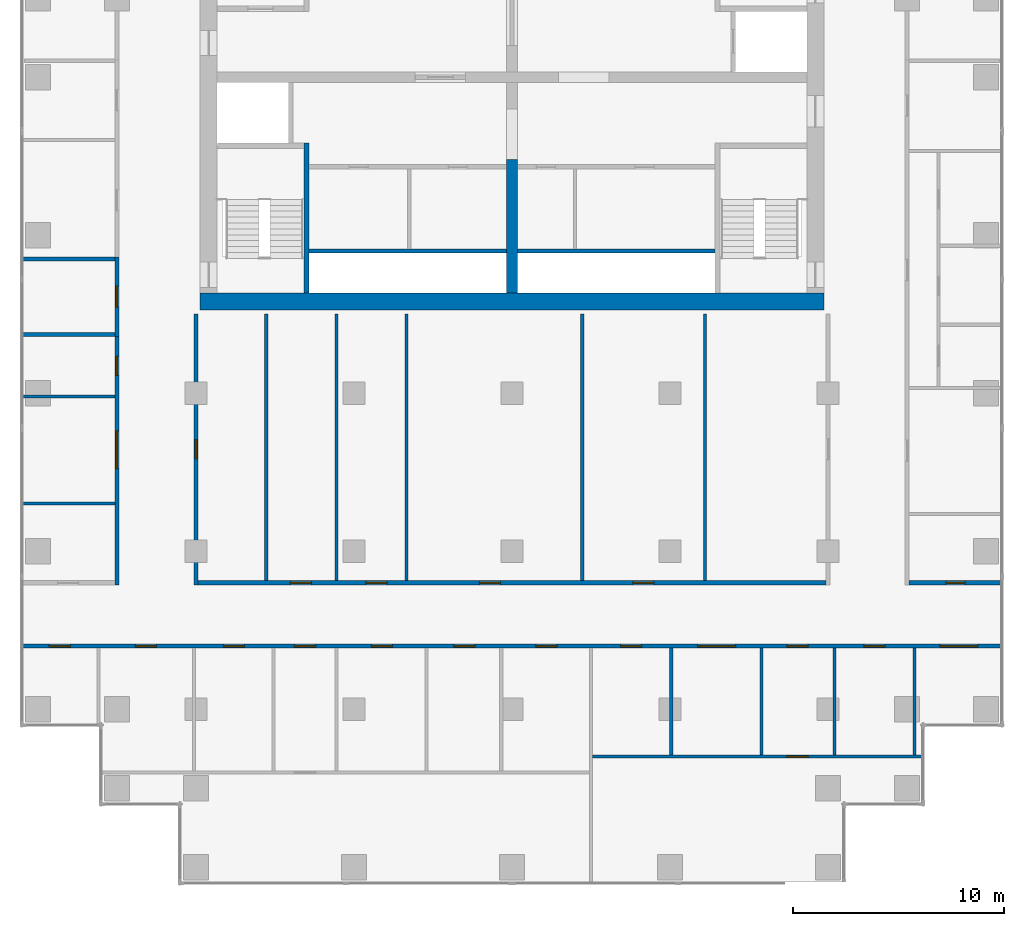
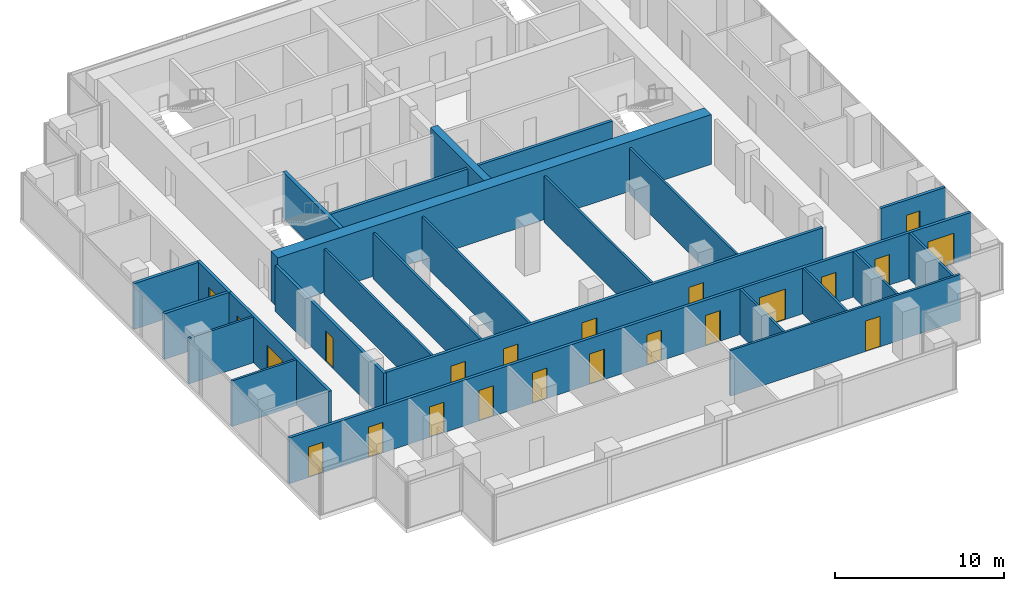
# One storey, part 7 of 11: 25 walls, 22 doors, 22 openings.
"""IFC4 building model written with IfcOpenShell, lengths in metres."""

import ifcopenshell
import ifcopenshell.guid

model = None  # the IFC model being written
_history = None  # IfcOwnerHistory: only IFC2X3 demands one
_inside = {}  # id of a spatial element -> (the spatial element, [elements in it])
_under = {}  # id of a project, library or spatial element -> (it, [spatial elements below it])
_declared = {}  # id of a project -> (the project, [libraries it declares])
_typed = {}  # id of a type object -> (the type object, [elements of that type])
_made_of = {}  # id of a material, layer set ... -> (it, [elements and type objects made of it])


def new_model(schema):
    """Start an empty IFC model of exactly this schema.

    Asked for "IFC4X3", IfcOpenShell would pick the latest addendum, in which some entities
    have other attributes; the version numbers below select the first issue.
    IFC2X3 requires an IfcOwnerHistory on every rooted entity: one is made here for all.
    """
    global model, _history
    if schema == "IFC4X3":
        model = ifcopenshell.file(schema_version=(4, 3, 0, 0))
    else:
        model = ifcopenshell.file(schema=schema)
    _inside.clear()
    _under.clear()
    _declared.clear()
    _typed.clear()
    _made_of.clear()
    _history = None
    if model.schema == "IFC2X3":
        org = make("IfcOrganization", Name="unknown")
        user = make(
            "IfcPersonAndOrganization",
            ThePerson=make("IfcPerson", FamilyName="unknown"),
            TheOrganization=org,
        )
        app = make(
            "IfcApplication",
            ApplicationDeveloper=org,
            Version="unknown",
            ApplicationFullName="unknown",
            ApplicationIdentifier="unknown",
        )
        _history = make(
            "IfcOwnerHistory",
            OwningUser=user,
            OwningApplication=app,
            ChangeAction="ADDED",
            CreationDate=0,
        )
    return model


def make(cls, **values):
    """One entity of the class cls with the attributes given. An attribute that is None is left unset."""
    return model.create_entity(
        cls, **{name: value for name, value in values.items() if value is not None}
    )


def rooted(cls, **values):
    """An entity with a GlobalId (a new one), such as an element, a storey or a relation."""
    return make(cls, GlobalId=ifcopenshell.guid.new(), OwnerHistory=_history, **values)


def si_unit(unit_type, name, prefix=None):
    """IfcSIUnit, for example si_unit("LENGTHUNIT", "METRE", prefix="MILLI")."""
    return make("IfcSIUnit", UnitType=unit_type, Prefix=prefix, Name=name)


def assignment(units):
    """IfcUnitAssignment: the units of a project."""
    return None if units is None else make("IfcUnitAssignment", Units=units)


def point(xyz):
    """IfcCartesianPoint."""
    return None if xyz is None else make("IfcCartesianPoint", Coordinates=xyz)


def direction(xyz):
    """IfcDirection."""
    return None if xyz is None else make("IfcDirection", DirectionRatios=xyz)


def frame(location, z_axis=None, x_axis=None):
    """IfcAxis2Placement3D, a coordinate frame: its origin and axes. An axis left out is left unset."""
    return make(
        "IfcAxis2Placement3D",
        Location=point(location),
        Axis=direction(z_axis),
        RefDirection=direction(x_axis),
    )


def frame_2d(location, x_axis=None):
    """IfcAxis2Placement2D, a coordinate frame in the plane: its origin and x axis."""
    return make(
        "IfcAxis2Placement2D", Location=point(location), RefDirection=direction(x_axis)
    )


def origin():
    """The frame at (0, 0, 0) with its axes left unset."""
    return frame((0.0, 0.0, 0.0))


def place(relative_to, where):
    """IfcLocalPlacement: puts the frame where relative to a parent placement (None: the world)."""
    return make(
        "IfcLocalPlacement", PlacementRelTo=relative_to, RelativePlacement=where
    )


def context(
    kind, dimensions, precision=None, world=None, true_north=None, identifier=None
):
    """IfcGeometricRepresentationContext, for example the 3D "Model" context."""
    return make(
        "IfcGeometricRepresentationContext",
        ContextIdentifier=identifier,
        ContextType=kind,
        CoordinateSpaceDimension=dimensions,
        Precision=precision,
        WorldCoordinateSystem=world,
        TrueNorth=true_north,
    )


def subcontext(parent, identifier, kind, view, scale=None):
    """IfcGeometricRepresentationSubContext, for example "Body" below "Model"."""
    return make(
        "IfcGeometricRepresentationSubContext",
        ContextIdentifier=identifier,
        ContextType=kind,
        ParentContext=parent,
        TargetScale=scale,
        TargetView=view,
    )


def project(units=None, contexts=None):
    """IfcProject with its units and contexts."""
    return rooted(
        "IfcProject",
        Name="project",
        RepresentationContexts=contexts,
        UnitsInContext=assignment(units),
    )


def spatial(cls, under=None, at=None, **own):
    """A site, building, storey or space (cls), placed at a placement, below another one or the project."""
    s = rooted(cls, ObjectPlacement=at, **own)
    if under is not None:
        _under.setdefault(under.id(), (under, []))[1].append(s)
    return s


def profile(cls, at=None, kind="AREA", **sizes):
    """A parametric profile (cls). Its sizes go by their IFC names, for example OverallWidth=200.0."""
    return make(cls, ProfileType=kind, Position=at, **sizes)


def rectangle(**sizes):
    """IfcRectangleProfileDef."""
    return profile("IfcRectangleProfileDef", **sizes)


def extrude(swept, where, along, depth):
    """IfcExtrudedAreaSolid: the profile swept, set in the frame where, extruded along a direction by depth."""
    return make(
        "IfcExtrudedAreaSolid",
        SweptArea=swept,
        Position=where,
        ExtrudedDirection=direction(along),
        Depth=depth,
    )


def shape(context_of_items, identifier, shape_type, items):
    """IfcShapeRepresentation: the items that make up one representation, for example the "Body"."""
    return make(
        "IfcShapeRepresentation",
        ContextOfItems=context_of_items,
        RepresentationIdentifier=identifier,
        RepresentationType=shape_type,
        Items=items,
    )


def material(Name=None, Category=None):
    """IfcMaterial."""
    return make("IfcMaterial", Name=Name, Category=Category)


def layer(
    of_material, thickness, ventilated=None, Name=None, Category=None, Priority=None
):
    """IfcMaterialLayer: one layer of a wall or slab, of a material (None: an air gap)."""
    return make(
        "IfcMaterialLayer",
        Material=of_material,
        LayerThickness=thickness,
        IsVentilated=ventilated,
        Name=Name,
        Category=Category,
        Priority=Priority,
    )


def layer_set(layers, Name=None):
    """IfcMaterialLayerSet."""
    return make("IfcMaterialLayerSet", MaterialLayers=layers, LayerSetName=Name)


def made_of(thing, what):
    """Note that an element or type object is made of a material, layer set ...; save() writes the relation."""
    if what is not None:
        _made_of.setdefault(what.id(), (what, []))[1].append(thing)
    return thing


def type_object(cls, material=None, **own):
    """A type object (cls), such as IfcWallType, which elements share."""
    return made_of(rooted(cls, **own), material)


def element(
    cls,
    number,
    at=None,
    inside=None,
    cuts=None,
    type_object=None,
    material=None,
    context=None,
    identifier="Body",
    shape_type=None,
    held_by="IfcProductDefinitionShape",
    body=None,
    shapes=None,
    **own,
):
    """One element of the class cls, such as IfcWall. Its Tag is "e" and its number.

    at: its placement. inside: the storey or other place that contains it. cuts: it is an
    opening in that element (IfcRelVoidsElement). A single representation is given by context,
    identifier, shape_type and body (its items); several are given by shapes. held_by: the class
    of the entity that holds the representations. save() writes the other relations.
    """
    e = rooted(cls, Tag="e%d" % number, ObjectPlacement=at, **own)
    if body is not None:
        shapes = [shape(context, identifier, shape_type, body)]
    if shapes is not None:
        e.Representation = make(held_by, Representations=shapes)
    if inside is not None:
        _inside.setdefault(inside.id(), (inside, []))[1].append(e)
    if cuts is not None:
        rooted(
            "IfcRelVoidsElement", RelatingBuildingElement=cuts, RelatedOpeningElement=e
        )
    if type_object is not None:
        _typed.setdefault(type_object.id(), (type_object, []))[1].append(e)
    return made_of(e, material)


def fill(opening, filler):
    """IfcRelFillsElement: the door or window that sits in an opening."""
    return rooted(
        "IfcRelFillsElement",
        RelatingOpeningElement=opening,
        RelatedBuildingElement=filler,
    )


def aggregate(whole, parts):
    """IfcRelAggregates: a whole, such as a stair, and the parts it consists of."""
    return rooted("IfcRelAggregates", RelatingObject=whole, RelatedObjects=parts)


def save(model, path):
    """Write the relations noted so far, then the file.

    IfcRelAggregates (storeys below a building ...), IfcRelContainedInSpatialStructure (elements
    in a storey), IfcRelDefinesByType, IfcRelAssociatesMaterial and IfcRelDeclares: one each for
    every whole, place, type object, material and project.
    """
    for whole, parts in _under.values():
        aggregate(whole, parts)
    for where, things in _inside.values():
        rooted(
            "IfcRelContainedInSpatialStructure",
            RelatedElements=things,
            RelatingStructure=where,
        )
    for kind, things in _typed.values():
        rooted("IfcRelDefinesByType", RelatedObjects=things, RelatingType=kind)
    for what, things in _made_of.values():
        rooted("IfcRelAssociatesMaterial", RelatedObjects=things, RelatingMaterial=what)
    for by, libraries in _declared.values():
        rooted("IfcRelDeclares", RelatingContext=by, RelatedDefinitions=libraries)
    model.write(path)


model = new_model("IFC4")

# Units and contexts
model_context = context("Model", 3, precision=1e-05, world=origin(), true_north=direction((0.0, 1.0)))
body_context = subcontext(model_context, "Body", "Model", "MODEL_VIEW")
ifc_project = project(units=[si_unit("LENGTHUNIT", "METRE"), si_unit("AREAUNIT", "SQUARE_METRE"), si_unit("VOLUMEUNIT", "CUBIC_METRE"), si_unit("PLANEANGLEUNIT", "RADIAN"), si_unit("MASSUNIT", "GRAM", prefix="KILO")], contexts=[model_context])

# Site, building, storey
site_placement = place(None, origin())
site = spatial("IfcSite", under=ifc_project, at=site_placement, CompositionType="ELEMENT")
building_placement = place(site_placement, origin())
building = spatial("IfcBuilding", under=site, at=building_placement, Name="Pilkhan Gate Tower", CompositionType="ELEMENT")
storey_placement = place(building_placement, frame((0.0, 0.0, 172.89990234375)))
storey = spatial("IfcBuildingStorey", under=building, at=storey_placement, Name="L44", CompositionType="ELEMENT", Elevation=172.89990234375)

# Wall
ifc_material_1 = material(Name="Concrete C60/75", Category="concrete")
ifc_layer_1 = layer(ifc_material_1, 0.800048828125)
ifc_layer_set_1 = layer_set([ifc_layer_1], Name="Core wall CW800 C60/75")
wall_type_1 = type_object("IfcWallType", Name="Core wall CW800 C60/75", PredefinedType="SHEAR", material=ifc_layer_set_1)
wall_1_placement = place(storey_placement, frame((60.199951171875, 71.85009765625, 0.0), z_axis=(0.0, 0.0, 1.0), x_axis=(1.0, 0.0, 0.0)))
element("IfcWall", 1, at=wall_1_placement, inside=storey, type_object=wall_type_1, Name="Core wall S L44", PredefinedType="SHEAR", context=body_context, shape_type="SweptSolid", body=[
    extrude(rectangle(XDim=29.60009765625, YDim=0.800048828125, at=frame_2d((14.800048828125, 0.0))), origin(), (0.0, 0.0, 1.0), 3.60009765625),
])

# Wall, openings, doors
ifc_material_2 = material(Name="Dense blockwork", Category="masonry")
ifc_layer_2 = layer(ifc_material_2, 0.199951171875)
ifc_layer_set_2 = layer_set([ifc_layer_2], Name="Corridor wall FW200")
wall_type_2 = type_object("IfcWallType", Name="Corridor wall FW200", PredefinedType="PARTITIONING", material=ifc_layer_set_2)
wall_2_placement = place(storey_placement, frame((51.735107421875, 55.5, 0.0), z_axis=(0.0, 0.0, 1.0), x_axis=(1.0, 0.0, 0.0)))
wall_2 = element("IfcWall", 2, at=wall_2_placement, inside=storey, type_object=wall_type_2, Name="Partition L44", PredefinedType="PARTITIONING", context=body_context, shape_type="SweptSolid", body=[
    extrude(rectangle(XDim=46.52978515625, YDim=0.199951171875, at=frame_2d((23.264892578125, 0.0))), origin(), (0.0, 0.0, 1.0), 3.300048828125),
])
opening_1_placement = place(wall_2_placement, frame((12.93994140625, 0.0, 0.0)))
opening_1 = element("IfcOpeningElement", 3, at=opening_1_placement, cuts=wall_2, Name="Opening L44-06", PredefinedType="OPENING", context=body_context, shape_type="SweptSolid", body=[
    extrude(rectangle(XDim=1.0, YDim=2.199951171875, at=frame_2d((0.5, 1.10009765625))), frame((0.0, 0.10986328125, 0.0), z_axis=(0.0, -1.0, 0.0), x_axis=(1.0, 0.0, 0.0)), (0.0, 0.0, 1.0), 0.219970703125),
])
opening_2_placement = place(wall_2_placement, frame((36.31494140625, 0.0, 0.0)))
opening_2 = element("IfcOpeningElement", 4, at=opening_2_placement, cuts=wall_2, Name="Opening L44-07", PredefinedType="OPENING", context=body_context, shape_type="SweptSolid", body=[
    extrude(rectangle(XDim=1.0, YDim=2.199951171875, at=frame_2d((0.5, 1.10009765625))), frame((0.0, 0.10986328125, 0.0), z_axis=(0.0, -1.0, 0.0), x_axis=(1.0, 0.0, 0.0)), (0.0, 0.0, 1.0), 0.219970703125),
])
opening_3_placement = place(wall_2_placement, frame((1.300048828125, 0.0, 0.0)))
opening_3 = element("IfcOpeningElement", 5, at=opening_3_placement, cuts=wall_2, Name="Opening L44-16", PredefinedType="OPENING", context=body_context, shape_type="SweptSolid", body=[
    extrude(rectangle(XDim=1.0, YDim=2.199951171875, at=frame_2d((0.5, 1.10009765625))), frame((0.0, 0.10986328125, 0.0), z_axis=(0.0, -1.0, 0.0), x_axis=(1.0, 0.0, 0.0)), (0.0, 0.0, 1.0), 0.219970703125),
])
opening_4_placement = place(wall_2_placement, frame((5.387939453125, 0.0, 0.0)))
opening_4 = element("IfcOpeningElement", 6, at=opening_4_placement, cuts=wall_2, Name="Opening L44-17", PredefinedType="OPENING", context=body_context, shape_type="SweptSolid", body=[
    extrude(rectangle(XDim=1.0, YDim=2.199951171875, at=frame_2d((0.5, 1.10009765625))), frame((0.0, 0.10986328125, 0.0), z_axis=(0.0, -1.0, 0.0), x_axis=(1.0, 0.0, 0.0)), (0.0, 0.0, 1.0), 0.219970703125),
])
opening_5_placement = place(wall_2_placement, frame((9.56689453125, 0.0, 0.0)))
opening_5 = element("IfcOpeningElement", 7, at=opening_5_placement, cuts=wall_2, Name="Opening L44-18", PredefinedType="OPENING", context=body_context, shape_type="SweptSolid", body=[
    extrude(rectangle(XDim=1.0, YDim=2.199951171875, at=frame_2d((0.5, 1.10009765625))), frame((0.0, 0.10986328125, 0.0), z_axis=(0.0, -1.0, 0.0), x_axis=(1.0, 0.0, 0.0)), (0.0, 0.0, 1.0), 0.219970703125),
])
opening_6_placement = place(wall_2_placement, frame((16.590087890625, 0.0, 0.0)))
opening_6 = element("IfcOpeningElement", 8, at=opening_6_placement, cuts=wall_2, Name="Opening L44-19", PredefinedType="OPENING", context=body_context, shape_type="SweptSolid", body=[
    extrude(rectangle(XDim=1.0, YDim=2.199951171875, at=frame_2d((0.5, 1.10009765625))), frame((0.0, 0.10986328125, 0.0), z_axis=(0.0, -1.0, 0.0), x_axis=(1.0, 0.0, 0.0)), (0.0, 0.0, 1.0), 0.219970703125),
])
opening_7_placement = place(wall_2_placement, frame((20.501953125, 0.0, 0.0)))
opening_7 = element("IfcOpeningElement", 9, at=opening_7_placement, cuts=wall_2, Name="Opening L44-20", PredefinedType="OPENING", context=body_context, shape_type="SweptSolid", body=[
    extrude(rectangle(XDim=1.0, YDim=2.199951171875, at=frame_2d((0.5, 1.10009765625))), frame((0.0, 0.10986328125, 0.0), z_axis=(0.0, -1.0, 0.0), x_axis=(1.0, 0.0, 0.0)), (0.0, 0.0, 1.0), 0.219970703125),
])
opening_8_placement = place(wall_2_placement, frame((24.403076171875, 0.0, 0.0)))
opening_8 = element("IfcOpeningElement", 10, at=opening_8_placement, cuts=wall_2, Name="Opening L44-21", PredefinedType="OPENING", context=body_context, shape_type="SweptSolid", body=[
    extrude(rectangle(XDim=1.0, YDim=2.199951171875, at=frame_2d((0.5, 1.10009765625))), frame((0.0, 0.10986328125, 0.0), z_axis=(0.0, -1.0, 0.0), x_axis=(1.0, 0.0, 0.0)), (0.0, 0.0, 1.0), 0.219970703125),
])
opening_9_placement = place(wall_2_placement, frame((28.4150390625, 0.0, 0.0)))
opening_9 = element("IfcOpeningElement", 11, at=opening_9_placement, cuts=wall_2, Name="Opening L44-23", PredefinedType="OPENING", context=body_context, shape_type="SweptSolid", body=[
    extrude(rectangle(XDim=1.0, YDim=2.199951171875, at=frame_2d((0.5, 1.10009765625))), frame((0.0, 0.10986328125, 0.0), z_axis=(0.0, -1.0, 0.0), x_axis=(1.0, 0.0, 0.0)), (0.0, 0.0, 1.0), 0.219970703125),
])
opening_10_placement = place(wall_2_placement, frame((32.076904296875, 0.0, 0.0)))
opening_10 = element("IfcOpeningElement", 12, at=opening_10_placement, cuts=wall_2, Name="Opening L44-24", PredefinedType="OPENING", context=body_context, shape_type="SweptSolid", body=[
    extrude(rectangle(XDim=1.800048828125, YDim=2.199951171875, at=frame_2d((0.89990234375, 1.10009765625))), frame((0.0, 0.10986328125, 0.0), z_axis=(0.0, -1.0, 0.0), x_axis=(1.0, 0.0, 0.0)), (0.0, 0.0, 1.0), 0.219970703125),
])
opening_11_placement = place(wall_2_placement, frame((39.965087890625, 0.0, 0.0)))
opening_11 = element("IfcOpeningElement", 13, at=opening_11_placement, cuts=wall_2, Name="Opening L44-25", PredefinedType="OPENING", context=body_context, shape_type="SweptSolid", body=[
    extrude(rectangle(XDim=1.0, YDim=2.199951171875, at=frame_2d((0.5, 1.10009765625))), frame((0.0, 0.10986328125, 0.0), z_axis=(0.0, -1.0, 0.0), x_axis=(1.0, 0.0, 0.0)), (0.0, 0.0, 1.0), 0.219970703125),
])
opening_12_placement = place(wall_2_placement, frame((43.576904296875, 0.0, 0.0)))
opening_12 = element("IfcOpeningElement", 14, at=opening_12_placement, cuts=wall_2, Name="Opening L44-26", PredefinedType="OPENING", context=body_context, shape_type="SweptSolid", body=[
    extrude(rectangle(XDim=1.800048828125, YDim=2.199951171875, at=frame_2d((0.89990234375, 1.10009765625))), frame((0.0, 0.10986328125, 0.0), z_axis=(0.0, -1.0, 0.0), x_axis=(1.0, 0.0, 0.0)), (0.0, 0.0, 1.0), 0.219970703125),
])
ifc_material_3 = material(Name="Timber glazed double door, 30 minute fire resisting", Category="wood")
door_type_1 = type_object("IfcDoorType", Name="Double door D04 1800x2200", OperationType="DOUBLE_DOOR_SINGLE_SWING", PredefinedType="DOOR", material=ifc_material_3)
door_1_placement = place(opening_10_placement, origin())
door_1 = element("IfcDoor", 15, at=door_1_placement, inside=storey, type_object=door_type_1, Name="Double door", OperationType="DOUBLE_DOOR_SINGLE_SWING", OverallHeight=2.199951171875, OverallWidth=1.800048828125, PredefinedType="DOOR", context=body_context, shape_type="SweptSolid", body=[
    extrude(rectangle(XDim=1.800048828125, YDim=2.199951171875, at=frame_2d((0.89990234375, 1.10009765625))), frame((0.0, 0.02490234375, 0.0), z_axis=(0.0, -1.0, 0.0), x_axis=(1.0, 0.0, 0.0)), (0.0, 0.0, 1.0), 0.050048828125),
])
fill(opening_10, door_1)
door_2_placement = place(opening_12_placement, origin())
door_2 = element("IfcDoor", 16, at=door_2_placement, inside=storey, type_object=door_type_1, Name="Double door", OperationType="DOUBLE_DOOR_SINGLE_SWING", OverallHeight=2.199951171875, OverallWidth=1.800048828125, PredefinedType="DOOR", context=body_context, shape_type="SweptSolid", body=[
    extrude(rectangle(XDim=1.800048828125, YDim=2.199951171875, at=frame_2d((0.89990234375, 1.10009765625))), frame((0.0, 0.02490234375, 0.0), z_axis=(0.0, -1.0, 0.0), x_axis=(1.0, 0.0, 0.0)), (0.0, 0.0, 1.0), 0.050048828125),
])
fill(opening_12, door_2)
ifc_material_4 = material(Name="Timber flush door, 30 minute fire resisting", Category="wood")
door_type_2 = type_object("IfcDoorType", Name="Room door D03 1000x2200", OperationType="SINGLE_SWING_LEFT", PredefinedType="DOOR", material=ifc_material_4)
door_3_placement = place(opening_1_placement, origin())
door_3 = element("IfcDoor", 17, at=door_3_placement, inside=storey, type_object=door_type_2, Name="Room door", OperationType="SINGLE_SWING_RIGHT", OverallHeight=2.199951171875, OverallWidth=1.0, PredefinedType="DOOR", context=body_context, shape_type="SweptSolid", body=[
    extrude(rectangle(XDim=1.0, YDim=2.199951171875, at=frame_2d((0.5, 1.10009765625))), frame((0.0, 0.02490234375, 0.0), z_axis=(0.0, -1.0, 0.0), x_axis=(1.0, 0.0, 0.0)), (0.0, 0.0, 1.0), 0.050048828125),
])
fill(opening_1, door_3)
door_4_placement = place(opening_2_placement, origin())
door_4 = element("IfcDoor", 18, at=door_4_placement, inside=storey, type_object=door_type_2, Name="Room door", OperationType="SINGLE_SWING_RIGHT", OverallHeight=2.199951171875, OverallWidth=1.0, PredefinedType="DOOR", context=body_context, shape_type="SweptSolid", body=[
    extrude(rectangle(XDim=1.0, YDim=2.199951171875, at=frame_2d((0.5, 1.10009765625))), frame((0.0, 0.02490234375, 0.0), z_axis=(0.0, -1.0, 0.0), x_axis=(1.0, 0.0, 0.0)), (0.0, 0.0, 1.0), 0.050048828125),
])
fill(opening_2, door_4)
door_5_placement = place(opening_3_placement, origin())
door_5 = element("IfcDoor", 19, at=door_5_placement, inside=storey, type_object=door_type_2, Name="Room door", OperationType="SINGLE_SWING_LEFT", OverallHeight=2.199951171875, OverallWidth=1.0, PredefinedType="DOOR", context=body_context, shape_type="SweptSolid", body=[
    extrude(rectangle(XDim=1.0, YDim=2.199951171875, at=frame_2d((0.5, 1.10009765625))), frame((0.0, 0.02490234375, 0.0), z_axis=(0.0, -1.0, 0.0), x_axis=(1.0, 0.0, 0.0)), (0.0, 0.0, 1.0), 0.050048828125),
])
fill(opening_3, door_5)
door_6_placement = place(opening_4_placement, origin())
door_6 = element("IfcDoor", 20, at=door_6_placement, inside=storey, type_object=door_type_2, Name="Room door", OperationType="SINGLE_SWING_LEFT", OverallHeight=2.199951171875, OverallWidth=1.0, PredefinedType="DOOR", context=body_context, shape_type="SweptSolid", body=[
    extrude(rectangle(XDim=1.0, YDim=2.199951171875, at=frame_2d((0.5, 1.10009765625))), frame((0.0, 0.02490234375, 0.0), z_axis=(0.0, -1.0, 0.0), x_axis=(1.0, 0.0, 0.0)), (0.0, 0.0, 1.0), 0.050048828125),
])
fill(opening_4, door_6)
door_7_placement = place(opening_5_placement, origin())
door_7 = element("IfcDoor", 21, at=door_7_placement, inside=storey, type_object=door_type_2, Name="Room door", OperationType="SINGLE_SWING_RIGHT", OverallHeight=2.199951171875, OverallWidth=1.0, PredefinedType="DOOR", context=body_context, shape_type="SweptSolid", body=[
    extrude(rectangle(XDim=1.0, YDim=2.199951171875, at=frame_2d((0.5, 1.10009765625))), frame((0.0, 0.02490234375, 0.0), z_axis=(0.0, -1.0, 0.0), x_axis=(1.0, 0.0, 0.0)), (0.0, 0.0, 1.0), 0.050048828125),
])
fill(opening_5, door_7)
door_8_placement = place(opening_6_placement, origin())
door_8 = element("IfcDoor", 22, at=door_8_placement, inside=storey, type_object=door_type_2, Name="Room door", OperationType="SINGLE_SWING_LEFT", OverallHeight=2.199951171875, OverallWidth=1.0, PredefinedType="DOOR", context=body_context, shape_type="SweptSolid", body=[
    extrude(rectangle(XDim=1.0, YDim=2.199951171875, at=frame_2d((0.5, 1.10009765625))), frame((0.0, 0.02490234375, 0.0), z_axis=(0.0, -1.0, 0.0), x_axis=(1.0, 0.0, 0.0)), (0.0, 0.0, 1.0), 0.050048828125),
])
fill(opening_6, door_8)
door_9_placement = place(opening_7_placement, origin())
door_9 = element("IfcDoor", 23, at=door_9_placement, inside=storey, type_object=door_type_2, Name="Room door", OperationType="SINGLE_SWING_RIGHT", OverallHeight=2.199951171875, OverallWidth=1.0, PredefinedType="DOOR", context=body_context, shape_type="SweptSolid", body=[
    extrude(rectangle(XDim=1.0, YDim=2.199951171875, at=frame_2d((0.5, 1.10009765625))), frame((0.0, 0.02490234375, 0.0), z_axis=(0.0, -1.0, 0.0), x_axis=(1.0, 0.0, 0.0)), (0.0, 0.0, 1.0), 0.050048828125),
])
fill(opening_7, door_9)
door_10_placement = place(opening_8_placement, origin())
door_10 = element("IfcDoor", 24, at=door_10_placement, inside=storey, type_object=door_type_2, Name="Room door", OperationType="SINGLE_SWING_LEFT", OverallHeight=2.199951171875, OverallWidth=1.0, PredefinedType="DOOR", context=body_context, shape_type="SweptSolid", body=[
    extrude(rectangle(XDim=1.0, YDim=2.199951171875, at=frame_2d((0.5, 1.10009765625))), frame((0.0, 0.02490234375, 0.0), z_axis=(0.0, -1.0, 0.0), x_axis=(1.0, 0.0, 0.0)), (0.0, 0.0, 1.0), 0.050048828125),
])
fill(opening_8, door_10)
door_11_placement = place(opening_9_placement, origin())
door_11 = element("IfcDoor", 25, at=door_11_placement, inside=storey, type_object=door_type_2, Name="Room door", OperationType="SINGLE_SWING_RIGHT", OverallHeight=2.199951171875, OverallWidth=1.0, PredefinedType="DOOR", context=body_context, shape_type="SweptSolid", body=[
    extrude(rectangle(XDim=1.0, YDim=2.199951171875, at=frame_2d((0.5, 1.10009765625))), frame((0.0, 0.02490234375, 0.0), z_axis=(0.0, -1.0, 0.0), x_axis=(1.0, 0.0, 0.0)), (0.0, 0.0, 1.0), 0.050048828125),
])
fill(opening_9, door_11)
door_12_placement = place(opening_11_placement, origin())
door_12 = element("IfcDoor", 26, at=door_12_placement, inside=storey, type_object=door_type_2, Name="Room door", OperationType="SINGLE_SWING_RIGHT", OverallHeight=2.199951171875, OverallWidth=1.0, PredefinedType="DOOR", context=body_context, shape_type="SweptSolid", body=[
    extrude(rectangle(XDim=1.0, YDim=2.199951171875, at=frame_2d((0.5, 1.10009765625))), frame((0.0, 0.02490234375, 0.0), z_axis=(0.0, -1.0, 0.0), x_axis=(1.0, 0.0, 0.0)), (0.0, 0.0, 1.0), 0.050048828125),
])
fill(opening_11, door_12)

wall_3_placement = place(storey_placement, frame((60.10009765625, 58.5, 0.0), z_axis=(0.0, 0.0, 1.0), x_axis=(1.0, 0.0, 0.0)))
wall_3 = element("IfcWall", 27, at=wall_3_placement, inside=storey, type_object=wall_type_2, Name="Partition L44", PredefinedType="PARTITIONING", context=body_context, shape_type="SweptSolid", body=[
    extrude(rectangle(XDim=29.7998046875, YDim=0.199951171875, at=frame_2d((14.89990234375, 0.0))), origin(), (0.0, 0.0, 1.0), 3.300048828125),
])
opening_13_placement = place(wall_3_placement, frame((4.383056640625, 0.0, 0.0)))
opening_13 = element("IfcOpeningElement", 28, at=opening_13_placement, cuts=wall_3, Name="Opening L44-40", PredefinedType="OPENING", context=body_context, shape_type="SweptSolid", body=[
    extrude(rectangle(XDim=1.0, YDim=2.199951171875, at=frame_2d((0.5, 1.10009765625))), frame((0.0, 0.10986328125, 0.0), z_axis=(0.0, -1.0, 0.0), x_axis=(1.0, 0.0, 0.0)), (0.0, 0.0, 1.0), 0.219970703125),
])
opening_14_placement = place(wall_3_placement, frame((7.967041015625, 0.0, 0.0)))
opening_14 = element("IfcOpeningElement", 29, at=opening_14_placement, cuts=wall_3, Name="Opening L44-41", PredefinedType="OPENING", context=body_context, shape_type="SweptSolid", body=[
    extrude(rectangle(XDim=1.0, YDim=2.199951171875, at=frame_2d((0.5, 1.10009765625))), frame((0.0, 0.10986328125, 0.0), z_axis=(0.0, -1.0, 0.0), x_axis=(1.0, 0.0, 0.0)), (0.0, 0.0, 1.0), 0.219970703125),
])
opening_15_placement = place(wall_3_placement, frame((13.35009765625, 0.0, 0.0)))
opening_15 = element("IfcOpeningElement", 30, at=opening_15_placement, cuts=wall_3, Name="Opening L44-42", PredefinedType="OPENING", context=body_context, shape_type="SweptSolid", body=[
    extrude(rectangle(XDim=1.0, YDim=2.199951171875, at=frame_2d((0.5, 1.10009765625))), frame((0.0, 0.10986328125, 0.0), z_axis=(0.0, -1.0, 0.0), x_axis=(1.0, 0.0, 0.0)), (0.0, 0.0, 1.0), 0.219970703125),
])
opening_16_placement = place(wall_3_placement, frame((20.633056640625, 0.0, 0.0)))
opening_16 = element("IfcOpeningElement", 31, at=opening_16_placement, cuts=wall_3, Name="Opening L44-43", PredefinedType="OPENING", context=body_context, shape_type="SweptSolid", body=[
    extrude(rectangle(XDim=1.0, YDim=2.199951171875, at=frame_2d((0.5, 1.10009765625))), frame((0.0, 0.10986328125, 0.0), z_axis=(0.0, -1.0, 0.0), x_axis=(1.0, 0.0, 0.0)), (0.0, 0.0, 1.0), 0.219970703125),
])
door_13_placement = place(opening_13_placement, origin())
door_13 = element("IfcDoor", 32, at=door_13_placement, inside=storey, type_object=door_type_2, Name="Room door", OperationType="SINGLE_SWING_LEFT", OverallHeight=2.199951171875, OverallWidth=1.0, PredefinedType="DOOR", context=body_context, shape_type="SweptSolid", body=[
    extrude(rectangle(XDim=1.0, YDim=2.199951171875, at=frame_2d((0.5, 1.10009765625))), frame((0.0, 0.02490234375, 0.0), z_axis=(0.0, -1.0, 0.0), x_axis=(1.0, 0.0, 0.0)), (0.0, 0.0, 1.0), 0.050048828125),
])
fill(opening_13, door_13)
door_14_placement = place(opening_14_placement, origin())
door_14 = element("IfcDoor", 33, at=door_14_placement, inside=storey, type_object=door_type_2, Name="Room door", OperationType="SINGLE_SWING_LEFT", OverallHeight=2.199951171875, OverallWidth=1.0, PredefinedType="DOOR", context=body_context, shape_type="SweptSolid", body=[
    extrude(rectangle(XDim=1.0, YDim=2.199951171875, at=frame_2d((0.5, 1.10009765625))), frame((0.0, 0.02490234375, 0.0), z_axis=(0.0, -1.0, 0.0), x_axis=(1.0, 0.0, 0.0)), (0.0, 0.0, 1.0), 0.050048828125),
])
fill(opening_14, door_14)
door_15_placement = place(opening_15_placement, origin())
door_15 = element("IfcDoor", 34, at=door_15_placement, inside=storey, type_object=door_type_2, Name="Room door", OperationType="SINGLE_SWING_RIGHT", OverallHeight=2.199951171875, OverallWidth=1.0, PredefinedType="DOOR", context=body_context, shape_type="SweptSolid", body=[
    extrude(rectangle(XDim=1.0, YDim=2.199951171875, at=frame_2d((0.5, 1.10009765625))), frame((0.0, 0.02490234375, 0.0), z_axis=(0.0, -1.0, 0.0), x_axis=(1.0, 0.0, 0.0)), (0.0, 0.0, 1.0), 0.050048828125),
])
fill(opening_15, door_15)
door_16_placement = place(opening_16_placement, origin())
door_16 = element("IfcDoor", 35, at=door_16_placement, inside=storey, type_object=door_type_2, Name="Room door", OperationType="SINGLE_SWING_LEFT", OverallHeight=2.199951171875, OverallWidth=1.0, PredefinedType="DOOR", context=body_context, shape_type="SweptSolid", body=[
    extrude(rectangle(XDim=1.0, YDim=2.199951171875, at=frame_2d((0.5, 1.10009765625))), frame((0.0, 0.02490234375, 0.0), z_axis=(0.0, -1.0, 0.0), x_axis=(1.0, 0.0, 0.0)), (0.0, 0.0, 1.0), 0.050048828125),
])
fill(opening_16, door_16)

# Wall, opening, door
wall_4_placement = place(storey_placement, frame((93.85009765625, 58.5, 0.0), z_axis=(0.0, 0.0, 1.0), x_axis=(1.0, 0.0, 0.0)))
wall_4 = element("IfcWall", 36, at=wall_4_placement, inside=storey, type_object=wall_type_2, Name="Partition L44", PredefinedType="PARTITIONING", context=body_context, shape_type="SweptSolid", body=[
    extrude(rectangle(XDim=4.414794921875, YDim=0.199951171875, at=frame_2d((2.20751953125, 0.0))), origin(), (0.0, 0.0, 1.0), 3.300048828125),
])
opening_17_placement = place(wall_4_placement, frame((1.75, 0.0, 0.0)))
opening_17 = element("IfcOpeningElement", 37, at=opening_17_placement, cuts=wall_4, Name="Opening L44-36", PredefinedType="OPENING", context=body_context, shape_type="SweptSolid", body=[
    extrude(rectangle(XDim=0.89990234375, YDim=2.199951171875, at=frame_2d((0.449951171875, 1.10009765625))), frame((0.0, 0.10986328125, 0.0), z_axis=(0.0, -1.0, 0.0), x_axis=(1.0, 0.0, 0.0)), (0.0, 0.0, 1.0), 0.219970703125),
])
ifc_material_5 = material(Name="Timber flush door, 60 minute fire resisting, self-closing", Category="wood")
door_type_3 = type_object("IfcDoorType", Name="Store door D05 900x2200", OperationType="SINGLE_SWING_LEFT", PredefinedType="DOOR", material=ifc_material_5)
door_17_placement = place(opening_17_placement, origin())
door_17 = element("IfcDoor", 38, at=door_17_placement, inside=storey, type_object=door_type_3, Name="Store door", OperationType="SINGLE_SWING_LEFT", OverallHeight=2.199951171875, OverallWidth=0.89990234375, PredefinedType="DOOR", context=body_context, shape_type="SweptSolid", body=[
    extrude(rectangle(XDim=0.89990234375, YDim=2.199951171875, at=frame_2d((0.449951171875, 1.10009765625))), frame((0.0, 0.02490234375, 0.0), z_axis=(0.0, -1.0, 0.0), x_axis=(1.0, 0.0, 0.0)), (0.0, 0.0, 1.0), 0.050048828125),
])
fill(opening_17, door_17)

# Wall, openings, doors
wall_5_placement = place(storey_placement, frame((56.25, 58.39990234375, 0.0), z_axis=(0.0, 0.0, 1.0), x_axis=(0.0, 1.0, 0.0)))
wall_5 = element("IfcWall", 39, at=wall_5_placement, inside=storey, type_object=wall_type_2, Name="Partition L44", PredefinedType="PARTITIONING", context=body_context, shape_type="SweptSolid", body=[
    extrude(rectangle(XDim=11.88720703125, YDim=0.199951171875, at=frame_2d((5.943603515625, 0.0))), origin(), (0.0, 0.0, 1.0), 3.300048828125),
])
opening_18_placement = place(wall_5_placement, frame((5.51611328125, 0.0, 0.0)))
opening_18 = element("IfcOpeningElement", 40, at=opening_18_placement, cuts=wall_5, Name="Opening L44-29", PredefinedType="OPENING", context=body_context, shape_type="SweptSolid", body=[
    extrude(rectangle(XDim=1.800048828125, YDim=2.199951171875, at=frame_2d((0.89990234375, 1.10009765625))), frame((0.0, 0.10986328125, 0.0), z_axis=(0.0, -1.0, 0.0), x_axis=(1.0, 0.0, 0.0)), (0.0, 0.0, 1.0), 0.219970703125),
])
opening_19_placement = place(wall_5_placement, frame((9.949951171875, 0.0, 0.0)))
opening_19 = element("IfcOpeningElement", 41, at=opening_19_placement, cuts=wall_5, Name="Opening L44-30", PredefinedType="OPENING", context=body_context, shape_type="SweptSolid", body=[
    extrude(rectangle(XDim=0.89990234375, YDim=2.199951171875, at=frame_2d((0.449951171875, 1.10009765625))), frame((0.0, 0.10986328125, 0.0), z_axis=(0.0, -1.0, 0.0), x_axis=(1.0, 0.0, 0.0)), (0.0, 0.0, 1.0), 0.219970703125),
])
door_18_placement = place(opening_18_placement, origin())
door_18 = element("IfcDoor", 42, at=door_18_placement, inside=storey, type_object=door_type_1, Name="Double door", OperationType="DOUBLE_DOOR_SINGLE_SWING", OverallHeight=2.199951171875, OverallWidth=1.800048828125, PredefinedType="DOOR", context=body_context, shape_type="SweptSolid", body=[
    extrude(rectangle(XDim=1.800048828125, YDim=2.199951171875, at=frame_2d((0.89990234375, 1.10009765625))), frame((0.0, 0.02490234375, 0.0), z_axis=(0.0, -1.0, 0.0), x_axis=(1.0, 0.0, 0.0)), (0.0, 0.0, 1.0), 0.050048828125),
])
fill(opening_18, door_18)
door_19_placement = place(opening_19_placement, origin())
door_19 = element("IfcDoor", 43, at=door_19_placement, inside=storey, type_object=door_type_3, Name="Store door", OperationType="SINGLE_SWING_RIGHT", OverallHeight=2.199951171875, OverallWidth=0.89990234375, PredefinedType="DOOR", context=body_context, shape_type="SweptSolid", body=[
    extrude(rectangle(XDim=0.89990234375, YDim=2.199951171875, at=frame_2d((0.449951171875, 1.10009765625))), frame((0.0, 0.02490234375, 0.0), z_axis=(0.0, -1.0, 0.0), x_axis=(1.0, 0.0, 0.0)), (0.0, 0.0, 1.0), 0.050048828125),
])
fill(opening_19, door_19)

# Wall, opening, door
wall_6_placement = place(storey_placement, frame((60.0, 58.39990234375, 0.0), z_axis=(0.0, 0.0, 1.0), x_axis=(0.0, 1.0, 0.0)))
wall_6 = element("IfcWall", 44, at=wall_6_placement, inside=storey, type_object=wall_type_2, Name="Partition L44", PredefinedType="PARTITIONING", context=body_context, shape_type="SweptSolid", body=[
    extrude(rectangle(XDim=12.85009765625, YDim=0.199951171875, at=frame_2d((6.425048828125, 0.0))), origin(), (0.0, 0.0, 1.0), 3.300048828125),
])
opening_20_placement = place(wall_6_placement, frame((6.0, 0.0, 0.0)))
opening_20 = element("IfcOpeningElement", 45, at=opening_20_placement, cuts=wall_6, Name="Opening L44-39", PredefinedType="OPENING", context=body_context, shape_type="SweptSolid", body=[
    extrude(rectangle(XDim=0.89990234375, YDim=2.199951171875, at=frame_2d((0.449951171875, 1.10009765625))), frame((0.0, 0.10986328125, 0.0), z_axis=(0.0, -1.0, 0.0), x_axis=(1.0, 0.0, 0.0)), (0.0, 0.0, 1.0), 0.219970703125),
])
door_20_placement = place(opening_20_placement, origin())
door_20 = element("IfcDoor", 46, at=door_20_placement, inside=storey, type_object=door_type_3, Name="Store door", OperationType="SINGLE_SWING_LEFT", OverallHeight=2.199951171875, OverallWidth=0.89990234375, PredefinedType="DOOR", context=body_context, shape_type="SweptSolid", body=[
    extrude(rectangle(XDim=0.89990234375, YDim=2.199951171875, at=frame_2d((0.449951171875, 1.10009765625))), frame((0.0, 0.02490234375, 0.0), z_axis=(0.0, -1.0, 0.0), x_axis=(1.0, 0.0, 0.0)), (0.0, 0.0, 1.0), 0.050048828125),
])
fill(opening_20, door_20)

# Walls
ifc_layer_3 = layer(ifc_material_2, 0.199951171875)
ifc_layer_set_3 = layer_set([ifc_layer_3], Name="Lobby wall LW200")
wall_type_3 = type_object("IfcWallType", Name="Lobby wall LW200", PredefinedType="PARTITIONING", material=ifc_layer_set_3)
for number, where, z_axis, x_axis, name in (
    (47, (51.735107421875, 70.287109375, 0.0), (0.0, 0.0, 1.0), (1.0, 0.0, 0.0), "Partition L44"),
    (48, (51.735107421875, 73.864990234375, 0.0), (0.0, 0.0, 1.0), (1.0, 0.0, 0.0), "Partition L44"),
):
    element("IfcWall", number, at=place(storey_placement, frame(where, z_axis=z_axis, x_axis=x_axis)), inside=storey, type_object=wall_type_3, Name=name, PredefinedType="PARTITIONING", context=body_context, shape_type="SweptSolid", body=[
        extrude(rectangle(XDim=4.414794921875, YDim=0.199951171875, at=frame_2d((2.20751953125, 0.0))), origin(), (0.0, 0.0, 1.0), 3.300048828125),
    ])
for number, where, z_axis, x_axis, name in (
    (49, (65.375, 74.25, 0.0), (0.0, 0.0, 1.0), (1.0, 0.0, 0.0), "Partition L44"),
    (50, (75.260009765625, 74.25, 0.0), (0.0, 0.0, 1.0), (1.0, 0.0, 0.0), "Partition L44"),
):
    element("IfcWall", number, at=place(storey_placement, frame(where, z_axis=z_axis, x_axis=x_axis)), inside=storey, type_object=wall_type_3, Name=name, PredefinedType="PARTITIONING", context=body_context, shape_type="SweptSolid", body=[
        extrude(rectangle(XDim=9.364990234375, YDim=0.199951171875, at=frame_2d((4.6826171875, 0.0))), origin(), (0.0, 0.0, 1.0), 3.300048828125),
    ])

# Wall, opening, door
wall_7_placement = place(storey_placement, frame((56.25, 70.18701171875, 0.0), z_axis=(0.0, 0.0, 1.0), x_axis=(0.0, 1.0, 0.0)))
wall_7 = element("IfcWall", 51, at=wall_7_placement, inside=storey, type_object=wall_type_3, Name="Partition L44", PredefinedType="PARTITIONING", context=body_context, shape_type="SweptSolid", body=[
    extrude(rectangle(XDim=3.778076171875, YDim=0.199951171875, at=frame_2d((1.88916015625, 0.0))), origin(), (0.0, 0.0, 1.0), 3.300048828125),
])
opening_21_placement = place(wall_7_placement, frame((1.39990234375, 0.0, 0.0)))
opening_21 = element("IfcOpeningElement", 52, at=opening_21_placement, cuts=wall_7, Name="Opening L44-08", PredefinedType="OPENING", context=body_context, shape_type="SweptSolid", body=[
    extrude(rectangle(XDim=1.0, YDim=2.199951171875, at=frame_2d((0.5, 1.10009765625))), frame((0.0, 0.10986328125, 0.0), z_axis=(0.0, -1.0, 0.0), x_axis=(1.0, 0.0, 0.0)), (0.0, 0.0, 1.0), 0.219970703125),
])
door_21_placement = place(opening_21_placement, origin())
door_21 = element("IfcDoor", 53, at=door_21_placement, inside=storey, type_object=door_type_2, Name="Room door", OperationType="SINGLE_SWING_LEFT", OverallHeight=2.199951171875, OverallWidth=1.0, PredefinedType="DOOR", context=body_context, shape_type="SweptSolid", body=[
    extrude(rectangle(XDim=1.0, YDim=2.199951171875, at=frame_2d((0.5, 1.10009765625))), frame((0.0, 0.02490234375, 0.0), z_axis=(0.0, -1.0, 0.0), x_axis=(1.0, 0.0, 0.0)), (0.0, 0.0, 1.0), 0.050048828125),
])
fill(opening_21, door_21)

ifc_material_6 = material(Name="Blockwork partition, plastered both sides", Category="masonry")
ifc_layer_4 = layer(ifc_material_6, 0.14990234375)
ifc_layer_set_4 = layer_set([ifc_layer_4], Name="Partition PW150")
wall_type_4 = type_object("IfcWallType", Name="Partition PW150", PredefinedType="PARTITIONING", material=ifc_layer_set_4)
wall_8_placement = place(storey_placement, frame((78.824951171875, 50.25, 0.0), z_axis=(0.0, 0.0, 1.0), x_axis=(1.0, 0.0, 0.0)))
wall_8 = element("IfcWall", 54, at=wall_8_placement, inside=storey, type_object=wall_type_4, Name="Partition L44", PredefinedType="PARTITIONING", context=body_context, shape_type="SweptSolid", body=[
    extrude(rectangle(XDim=15.68994140625, YDim=0.14990234375, at=frame_2d((7.844970703125, 0.0))), origin(), (0.0, 0.0, 1.0), 3.300048828125),
])
opening_22_placement = place(wall_8_placement, frame((9.22509765625, 0.0, 0.0)))
opening_22 = element("IfcOpeningElement", 55, at=opening_22_placement, cuts=wall_8, Name="Opening L44-27", PredefinedType="OPENING", context=body_context, shape_type="SweptSolid", body=[
    extrude(rectangle(XDim=1.0, YDim=2.199951171875, at=frame_2d((0.5, 1.10009765625))), frame((0.0, 0.0849609375, 0.0), z_axis=(0.0, -1.0, 0.0), x_axis=(1.0, 0.0, 0.0)), (0.0, 0.0, 1.0), 0.169921875),
])
door_22_placement = place(opening_22_placement, origin())
door_22 = element("IfcDoor", 56, at=door_22_placement, inside=storey, type_object=door_type_2, Name="Room door", OperationType="SINGLE_SWING_LEFT", OverallHeight=2.199951171875, OverallWidth=1.0, PredefinedType="DOOR", context=body_context, shape_type="SweptSolid", body=[
    extrude(rectangle(XDim=1.0, YDim=2.199951171875, at=frame_2d((0.5, 1.10009765625))), frame((0.0, 0.02490234375, 0.0), z_axis=(0.0, -1.0, 0.0), x_axis=(1.0, 0.0, 0.0)), (0.0, 0.0, 1.0), 0.050048828125),
])
fill(opening_22, door_22)

# Walls
for number, where, z_axis, x_axis, name in (
    (57, (51.735107421875, 62.26611328125, 0.0), (0.0, 0.0, 1.0), (1.0, 0.0, 0.0), "Partition L44"),
    (58, (51.735107421875, 67.35009765625, 0.0), (0.0, 0.0, 1.0), (1.0, 0.0, 0.0), "Partition L44"),
):
    element("IfcWall", number, at=place(storey_placement, frame(where, z_axis=z_axis, x_axis=x_axis)), inside=storey, type_object=wall_type_4, Name=name, PredefinedType="PARTITIONING", context=body_context, shape_type="SweptSolid", body=[
        extrude(rectangle(XDim=4.414794921875, YDim=0.14990234375, at=frame_2d((2.20751953125, 0.0))), origin(), (0.0, 0.0, 1.0), 3.300048828125),
    ])
for number, where, z_axis, x_axis, name in (
    (59, (63.3330078125, 58.60009765625, 0.0), (0.0, 0.0, 1.0), (0.0, 1.0, 0.0), "Partition L44"),
    (60, (66.6669921875, 58.60009765625, 0.0), (0.0, 0.0, 1.0), (0.0, 1.0, 0.0), "Partition L44"),
    (61, (70.0, 58.60009765625, 0.0), (0.0, 0.0, 1.0), (0.0, 1.0, 0.0), "Partition L44"),
    (62, (78.3330078125, 58.60009765625, 0.0), (0.0, 0.0, 1.0), (0.0, 1.0, 0.0), "Partition L44"),
):
    element("IfcWall", number, at=place(storey_placement, frame(where, z_axis=z_axis, x_axis=x_axis)), inside=storey, type_object=wall_type_4, Name=name, PredefinedType="PARTITIONING", context=body_context, shape_type="SweptSolid", body=[
        extrude(rectangle(XDim=12.64990234375, YDim=0.14990234375, at=frame_2d((6.324951171875, 0.0))), origin(), (0.0, 0.0, 1.0), 3.300048828125),
    ])
wall_9_placement = place(storey_placement, frame((82.56201171875, 50.324951171875, 0.0), z_axis=(0.0, 0.0, 1.0), x_axis=(0.0, 1.0, 0.0)))
element("IfcWall", 63, at=wall_9_placement, inside=storey, type_object=wall_type_4, Name="Partition L44", PredefinedType="PARTITIONING", context=body_context, shape_type="SweptSolid", body=[
    extrude(rectangle(XDim=5.074951171875, YDim=0.14990234375, at=frame_2d((2.53759765625, 0.0))), origin(), (0.0, 0.0, 1.0), 3.300048828125),
])
wall_10_placement = place(storey_placement, frame((84.1669921875, 58.60009765625, 0.0), z_axis=(0.0, 0.0, 1.0), x_axis=(0.0, 1.0, 0.0)))
element("IfcWall", 64, at=wall_10_placement, inside=storey, type_object=wall_type_4, Name="Partition L44", PredefinedType="PARTITIONING", context=body_context, shape_type="SweptSolid", body=[
    extrude(rectangle(XDim=12.64990234375, YDim=0.14990234375, at=frame_2d((6.324951171875, 0.0))), origin(), (0.0, 0.0, 1.0), 3.300048828125),
])
for number, where, z_axis, x_axis, name in (
    (65, (86.85009765625, 50.324951171875, 0.0), (0.0, 0.0, 1.0), (0.0, 1.0, 0.0), "Partition L44"),
    (66, (90.300048828125, 50.324951171875, 0.0), (0.0, 0.0, 1.0), (0.0, 1.0, 0.0), "Partition L44"),
    (67, (94.112060546875, 50.324951171875, 0.0), (0.0, 0.0, 1.0), (0.0, 1.0, 0.0), "Partition L44"),
):
    element("IfcWall", number, at=place(storey_placement, frame(where, z_axis=z_axis, x_axis=x_axis)), inside=storey, type_object=wall_type_4, Name=name, PredefinedType="PARTITIONING", context=body_context, shape_type="SweptSolid", body=[
        extrude(rectangle(XDim=5.074951171875, YDim=0.14990234375, at=frame_2d((2.53759765625, 0.0))), origin(), (0.0, 0.0, 1.0), 3.300048828125),
    ])
ifc_layer_5 = layer(ifc_material_1, 0.5)
ifc_layer_set_5 = layer_set([ifc_layer_5], Name="Spine wall SW500 C60/75")
wall_type_5 = type_object("IfcWallType", Name="Spine wall SW500 C60/75", PredefinedType="SHEAR", material=ifc_layer_set_5)
wall_11_placement = place(storey_placement, frame((75.0, 72.25, 0.0), z_axis=(0.0, 0.0, 1.0), x_axis=(0.0, 1.0, 0.0)))
element("IfcWall", 68, at=wall_11_placement, inside=storey, type_object=wall_type_5, Name="Spine wall SP-NS-S1 L44", PredefinedType="SHEAR", context=body_context, shape_type="SweptSolid", body=[
    extrude(rectangle(XDim=6.35009765625, YDim=0.5, at=frame_2d((3.175048828125, 0.0))), origin(), (0.0, 0.0, 1.0), 3.60009765625),
])
ifc_material_7 = material(Name="Reinforced blockwork, 120 minute fire resisting", Category="masonry")
ifc_layer_6 = layer(ifc_material_7, 0.25)
ifc_layer_set_6 = layer_set([ifc_layer_6], Name="Stair enclosure wall SE250")
wall_type_6 = type_object("IfcWallType", Name="Stair enclosure wall SE250", PredefinedType="PARTITIONING", material=ifc_layer_set_6)
wall_12_placement = place(storey_placement, frame((65.25, 72.25, 0.0), z_axis=(0.0, 0.0, 1.0), x_axis=(0.0, 1.0, 0.0)))
element("IfcWall", 69, at=wall_12_placement, inside=storey, type_object=wall_type_6, Name="Partition L44", PredefinedType="PARTITIONING", context=body_context, shape_type="SweptSolid", body=[
    extrude(rectangle(XDim=7.125, YDim=0.25, at=frame_2d((3.5625, 0.0))), origin(), (0.0, 0.0, 1.0), 3.300048828125),
])

save(model, "model.ifc")
